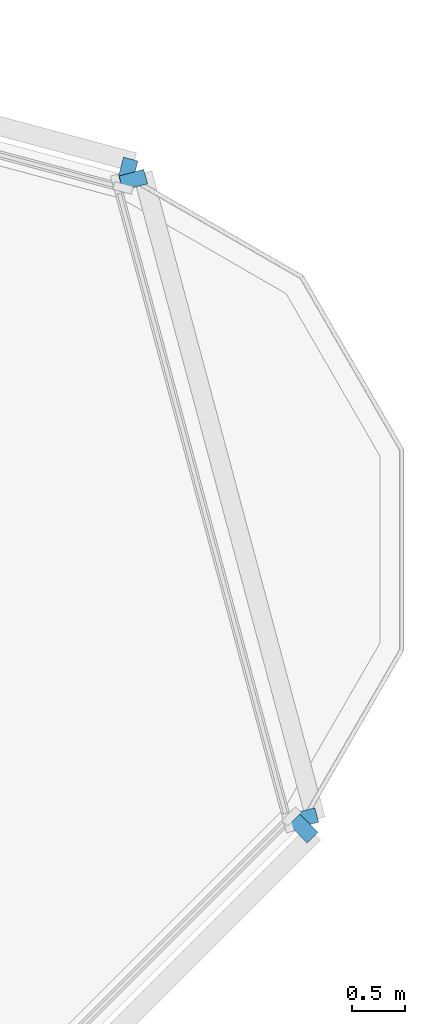
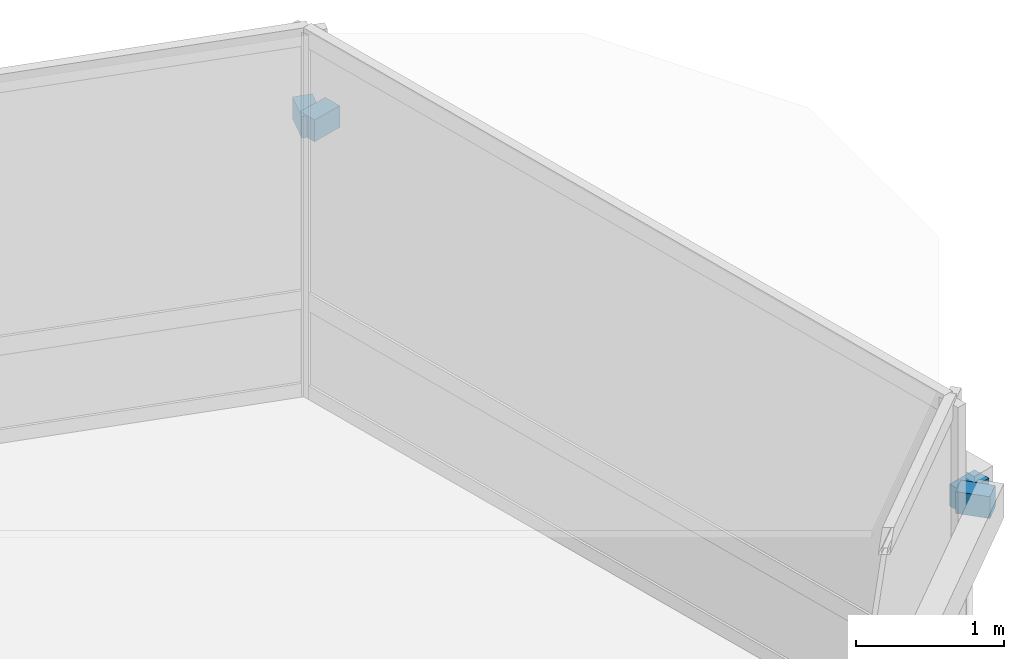
# One storey, part 10 of 14: 4 discrete accessories.
"""IFC4 building model written with IfcOpenShell, lengths in metres."""

from ifc_helpers import new_model, si_unit, direction, frame, origin, origin_2d, place, context, subcontext, project, spatial, rectangle, extrude, material, type_object, element, save


model = new_model("IFC4")

# Units and contexts
model_context = context("Model", 3, precision=1e-05, world=origin(), true_north=direction((0.0, 1.0)))
body_context = subcontext(model_context, "Body", "Model", "MODEL_VIEW")
ifc_project = project(units=[si_unit("LENGTHUNIT", "METRE"), si_unit("AREAUNIT", "SQUARE_METRE"), si_unit("VOLUMEUNIT", "CUBIC_METRE"), si_unit("PLANEANGLEUNIT", "RADIAN"), si_unit("MASSUNIT", "GRAM", prefix="KILO")], contexts=[model_context])

# Site, building, storey
site_placement = place(None, origin())
site = spatial("IfcSite", under=ifc_project, at=site_placement, CompositionType="ELEMENT")
building_placement = place(site_placement, origin())
building = spatial("IfcBuilding", under=site, at=building_placement, Name="Terralouvre Media Tower", CompositionType="ELEMENT")
storey_placement = place(building_placement, frame((0.0, 0.0, 206.39990234375)))
storey = spatial("IfcBuildingStorey", under=building, at=storey_placement, Name="L53", CompositionType="ELEMENT", Elevation=206.39990234375)

# Discrete accessories
ifc_material = material(Name="Anodised extruded aluminium 6063-T6", Category="aluminium")
discrete_accessory_type = type_object("IfcDiscreteAccessoryType", Name="Mullion Stand-Off Baguette Fixing Bracket BK-01", PredefinedType="BRACKET", material=ifc_material)
for number, where, z_axis, x_axis, name in (
    (1, (28.41552734375, 4.31298828125, 2.07421875), (0.0, 0.0, 1.0), (0.707106781187, 0.707106781187, 0.0), "CW-L53-F0 Baguette Outrigger Bracket 1.06"),
    (2, (26.764892578125, 10.472412109375, 2.07421875), (0.0, 0.0, 1.0), (-0.96592582942, 0.25881903342, 0.0), "CW-L53-F1 Baguette Outrigger Bracket 1.01"),
    (3, (28.42333984375, 4.4091796875, 2.07421875), (0.0, 0.0, 1.0), (-0.258818728144, 0.965925911218, 0.0), "CW-L53-C1 Baguette Outrigger Bracket 1.01"),
    (4, (26.81982421875, 10.39306640625, 2.07421875), (0.0, 0.0, 1.0), (-0.258818728144, 0.965925911218, 0.0), "CW-L53-C1 Baguette Outrigger Bracket 1.02"),
):
    element("IfcDiscreteAccessory", number, at=place(storey_placement, frame(where, z_axis=z_axis, x_axis=x_axis)), inside=storey, type_object=discrete_accessory_type, Name=name, PredefinedType="BRACKET", context=body_context, shape_type="SweptSolid", body=[
        extrude(rectangle(XDim=0.139892578125, YDim=0.239990234375, at=origin_2d()), origin(), (0.0, 0.0, 1.0), 0.179931640625),
    ])

save(model, "model.ifc")
